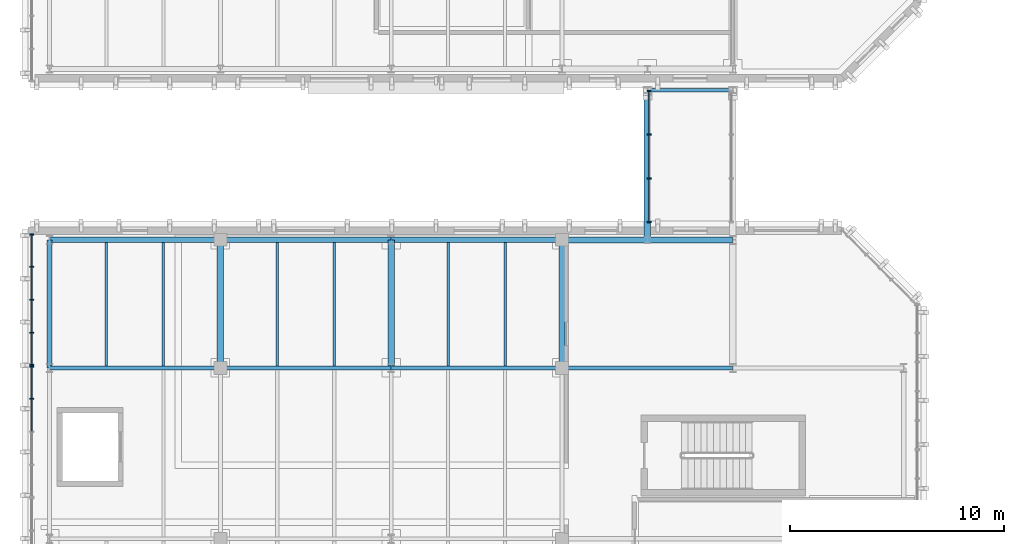
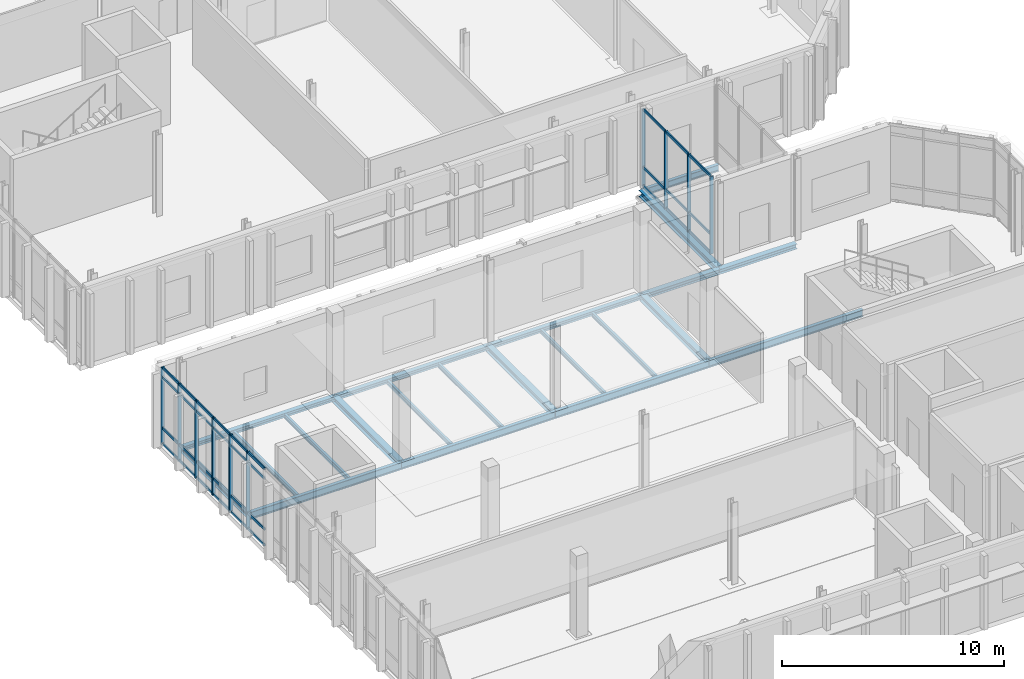
# One storey, part 31 of 86: 44 members, 21 beams, 3 elements without a shape of their own.
"""IFC4 building model written with IfcOpenShell, lengths in metres."""

from ifc_helpers import new_model, si_unit, direction, frame, origin, origin_2d, place, context, subcontext, project, spatial, rectangle, i_section, extrude, material, material_profile, profile_set, type_object, element, aggregate, save


model = new_model("IFC4")

# Units and contexts
model_context = context("Model", 3, precision=1e-05, world=origin(), true_north=direction((0.0, 1.0)))
body_context = subcontext(model_context, "Body", "Model", "MODEL_VIEW")
ifc_project = project(units=[si_unit("LENGTHUNIT", "METRE"), si_unit("AREAUNIT", "SQUARE_METRE"), si_unit("VOLUMEUNIT", "CUBIC_METRE"), si_unit("PLANEANGLEUNIT", "RADIAN"), si_unit("MASSUNIT", "GRAM", prefix="KILO")], contexts=[model_context])

# Site, building, storey
site_placement = place(None, origin())
site = spatial("IfcSite", under=ifc_project, at=site_placement, CompositionType="ELEMENT")
building_placement = place(site_placement, origin())
building = spatial("IfcBuilding", under=site, at=building_placement, Name="Cymarion Research Institute", CompositionType="ELEMENT")
storey_placement = place(building_placement, frame((0.0, 0.0, 13.800048828125)))
storey = spatial("IfcBuildingStorey", under=building, at=storey_placement, Name="L03", CompositionType="ELEMENT", Elevation=13.800048828125)

# Curtain wall, members
ifc_material_1 = material(Name="Anodised aluminium unitised curtain wall with Low-E glazing", Category="aluminium")
curtain_wall_type_1 = type_object("IfcCurtainWallType", Name="UNITISED CURTAIN WALL CW22 6180X4250", PredefinedType="NOTDEFINED", material=ifc_material_1)
curtain_wall_1_placement = place(storey_placement, origin())
curtain_wall_1 = element("IfcCurtainWall", 1, at=curtain_wall_1_placement, inside=storey, type_object=curtain_wall_type_1, Name="L03 V4 unitised curtain wall CW22 #157", PredefinedType="NOTDEFINED")
ifc_material_2 = material(Name="Anodised aluminium framing", Category="aluminium")
ifc_material_profile_1 = material_profile(ifc_material_2, rectangle(XDim=0.06005859375, YDim=0.179931640625, at=origin_2d()), Name="ALU MULLION 60x180")
ifc_profile_set_1 = profile_set([ifc_material_profile_1], Name="Anodised aluminium framing")
member_type_1 = type_object("IfcMemberType", Name="CURTAIN WALL MULLION ML01 60X180", PredefinedType="MULLION", material=ifc_profile_set_1)
member_1_placement = place(storey_placement, frame((5.77001953125, 77.748046875, 0.0), z_axis=(0.0, 0.0, 1.0), x_axis=(0.0, -1.0, 0.0)))
member_1 = element("IfcMember", 2, at=member_1_placement, type_object=member_type_1, Name="CW22 mullion 1", PredefinedType="MULLION", context=body_context, shape_type="SweptSolid", body=[
    extrude(rectangle(XDim=0.06005859375, YDim=0.179931640625, at=origin_2d()), origin(), (0.0, 0.0, 1.0), 4.25),
])
member_2_placement = place(storey_placement, frame((5.77001953125, 76.234130859375, 0.0), z_axis=(0.0, 0.0, 1.0), x_axis=(0.0, -1.0, 0.0)))
member_2 = element("IfcMember", 3, at=member_2_placement, type_object=member_type_1, Name="CW22 mullion 2", PredefinedType="MULLION", context=body_context, shape_type="SweptSolid", body=[
    extrude(rectangle(XDim=0.06005859375, YDim=0.179931640625, at=origin_2d()), origin(), (0.0, 0.0, 1.0), 4.25),
])
member_3_placement = place(storey_placement, frame((5.77001953125, 74.690185546875, 0.0), z_axis=(0.0, 0.0, 1.0), x_axis=(0.0, -1.0, 0.0)))
member_3 = element("IfcMember", 4, at=member_3_placement, type_object=member_type_1, Name="CW22 mullion 3", PredefinedType="MULLION", context=body_context, shape_type="SweptSolid", body=[
    extrude(rectangle(XDim=0.06005859375, YDim=0.179931640625, at=origin_2d()), origin(), (0.0, 0.0, 1.0), 4.25),
])
member_4_placement = place(storey_placement, frame((5.77001953125, 73.146240234375, 0.0), z_axis=(0.0, 0.0, 1.0), x_axis=(0.0, -1.0, 0.0)))
member_4 = element("IfcMember", 5, at=member_4_placement, type_object=member_type_1, Name="CW22 mullion 4", PredefinedType="MULLION", context=body_context, shape_type="SweptSolid", body=[
    extrude(rectangle(XDim=0.06005859375, YDim=0.179931640625, at=origin_2d()), origin(), (0.0, 0.0, 1.0), 4.25),
])
member_5_placement = place(storey_placement, frame((5.77001953125, 71.63232421875, 0.0), z_axis=(0.0, 0.0, 1.0), x_axis=(0.0, -1.0, 0.0)))
member_5 = element("IfcMember", 6, at=member_5_placement, type_object=member_type_1, Name="CW22 mullion 5", PredefinedType="MULLION", context=body_context, shape_type="SweptSolid", body=[
    extrude(rectangle(XDim=0.06005859375, YDim=0.179931640625, at=origin_2d()), origin(), (0.0, 0.0, 1.0), 4.25),
])

curtain_wall_2_placement = place(storey_placement, origin())
curtain_wall_2 = element("IfcCurtainWall", 7, at=curtain_wall_2_placement, inside=storey, type_object=curtain_wall_type_1, Name="L03 V4 unitised curtain wall CW22 #158", PredefinedType="NOTDEFINED")
member_6_placement = place(storey_placement, frame((5.77001953125, 71.572509765625, 0.0), z_axis=(0.0, 0.0, 1.0), x_axis=(0.0, -1.0, 0.0)))
member_6 = element("IfcMember", 8, at=member_6_placement, type_object=member_type_1, Name="CW22 mullion 1", PredefinedType="MULLION", context=body_context, shape_type="SweptSolid", body=[
    extrude(rectangle(XDim=0.06005859375, YDim=0.179931640625, at=origin_2d()), origin(), (0.0, 0.0, 1.0), 4.25),
])
member_7_placement = place(storey_placement, frame((5.77001953125, 70.05859375, 0.0), z_axis=(0.0, 0.0, 1.0), x_axis=(0.0, -1.0, 0.0)))
member_7 = element("IfcMember", 9, at=member_7_placement, type_object=member_type_1, Name="CW22 mullion 2", PredefinedType="MULLION", context=body_context, shape_type="SweptSolid", body=[
    extrude(rectangle(XDim=0.06005859375, YDim=0.179931640625, at=origin_2d()), origin(), (0.0, 0.0, 1.0), 4.25),
])

curtain_wall_type_2 = type_object("IfcCurtainWallType", Name="UNITISED CURTAIN WALL CW25 6200X4260", PredefinedType="NOTDEFINED", material=ifc_material_1)
curtain_wall_3_placement = place(storey_placement, origin())
curtain_wall_3 = element("IfcCurtainWall", 10, at=curtain_wall_3_placement, inside=storey, type_object=curtain_wall_type_2, Name="L03 SP2 sky-passage glazed wall 1", PredefinedType="NOTDEFINED")
member_8_placement = place(storey_placement, frame((34.679931640625, 78.330078125, 0.0), z_axis=(0.0, 0.0, 1.0), x_axis=(0.0, 1.0, 0.0)))
member_8 = element("IfcMember", 11, at=member_8_placement, type_object=member_type_1, Name="CW25 mullion 1", PredefinedType="MULLION", context=body_context, shape_type="SweptSolid", body=[
    extrude(rectangle(XDim=0.06005859375, YDim=0.179931640625, at=origin_2d()), origin(), (0.0, 0.0, 1.0), 4.260009765625),
])
member_9_placement = place(storey_placement, frame((34.679931640625, 80.36669921875, 0.0), z_axis=(0.0, 0.0, 1.0), x_axis=(0.0, 1.0, 0.0)))
member_9 = element("IfcMember", 12, at=member_9_placement, type_object=member_type_1, Name="CW25 mullion 2", PredefinedType="MULLION", context=body_context, shape_type="SweptSolid", body=[
    extrude(rectangle(XDim=0.06005859375, YDim=0.179931640625, at=origin_2d()), origin(), (0.0, 0.0, 1.0), 4.260009765625),
])
member_10_placement = place(storey_placement, frame((34.679931640625, 82.433349609375, 0.0), z_axis=(0.0, 0.0, 1.0), x_axis=(0.0, 1.0, 0.0)))
member_10 = element("IfcMember", 13, at=member_10_placement, type_object=member_type_1, Name="CW25 mullion 3", PredefinedType="MULLION", context=body_context, shape_type="SweptSolid", body=[
    extrude(rectangle(XDim=0.06005859375, YDim=0.179931640625, at=origin_2d()), origin(), (0.0, 0.0, 1.0), 4.260009765625),
])
member_11_placement = place(storey_placement, frame((34.679931640625, 84.469970703125, 0.0), z_axis=(0.0, 0.0, 1.0), x_axis=(0.0, 1.0, 0.0)))
member_11 = element("IfcMember", 14, at=member_11_placement, type_object=member_type_1, Name="CW25 mullion 4", PredefinedType="MULLION", context=body_context, shape_type="SweptSolid", body=[
    extrude(rectangle(XDim=0.06005859375, YDim=0.179931640625, at=origin_2d()), origin(), (0.0, 0.0, 1.0), 4.260009765625),
])

# Member
ifc_material_profile_2 = material_profile(ifc_material_2, rectangle(XDim=0.06005859375, YDim=0.14990234375, at=origin_2d()), Name="ALU TRANSOM 60x150")
ifc_profile_set_2 = profile_set([ifc_material_profile_2], Name="Anodised aluminium framing")
member_type_2 = type_object("IfcMemberType", Name="CURTAIN WALL TRANSOM TR01 60X150", PredefinedType="USERDEFINED", material=ifc_profile_set_2)
member_12_placement = place(storey_placement, frame((5.77001953125, 77.718017578125, 0.030029296875), z_axis=(0.0, -1.0, 0.0), x_axis=(1.0, 0.0, 0.0)))
member_12 = element("IfcMember", 15, at=member_12_placement, type_object=member_type_2, Name="CW22 transom 1.1", ObjectType="TRANSOM", PredefinedType="USERDEFINED", context=body_context, shape_type="SweptSolid", body=[
    extrude(rectangle(XDim=0.06005859375, YDim=0.14990234375, at=origin_2d()), origin(), (0.0, 0.0, 1.0), 1.453857421875),
])

member_13_placement = place(storey_placement, frame((5.77001953125, 77.718017578125, 0.89990234375), z_axis=(0.0, -1.0, 0.0), x_axis=(1.0, 0.0, 0.0)))
member_13 = element("IfcMember", 16, at=member_13_placement, type_object=member_type_2, Name="CW22 transom 1.2", ObjectType="TRANSOM", PredefinedType="USERDEFINED", context=body_context, shape_type="SweptSolid", body=[
    extrude(rectangle(XDim=0.06005859375, YDim=0.14990234375, at=origin_2d()), origin(), (0.0, 0.0, 1.0), 1.453857421875),
])

member_14_placement = place(storey_placement, frame((5.77001953125, 77.718017578125, 3.699951171875), z_axis=(0.0, -1.0, 0.0), x_axis=(1.0, 0.0, 0.0)))
member_14 = element("IfcMember", 17, at=member_14_placement, type_object=member_type_2, Name="CW22 transom 1.3", ObjectType="TRANSOM", PredefinedType="USERDEFINED", context=body_context, shape_type="SweptSolid", body=[
    extrude(rectangle(XDim=0.06005859375, YDim=0.14990234375, at=origin_2d()), origin(), (0.0, 0.0, 1.0), 1.453857421875),
])

member_15_placement = place(storey_placement, frame((5.77001953125, 77.718017578125, 4.219970703125), z_axis=(0.0, -1.0, 0.0), x_axis=(1.0, 0.0, 0.0)))
member_15 = element("IfcMember", 18, at=member_15_placement, type_object=member_type_2, Name="CW22 transom 1.4", ObjectType="TRANSOM", PredefinedType="USERDEFINED", context=body_context, shape_type="SweptSolid", body=[
    extrude(rectangle(XDim=0.06005859375, YDim=0.14990234375, at=origin_2d()), origin(), (0.0, 0.0, 1.0), 1.453857421875),
])

member_16_placement = place(storey_placement, frame((5.77001953125, 76.2041015625, 0.030029296875), z_axis=(0.0, -1.0, 0.0), x_axis=(1.0, 0.0, 0.0)))
member_16 = element("IfcMember", 19, at=member_16_placement, type_object=member_type_2, Name="CW22 transom 2.1", ObjectType="TRANSOM", PredefinedType="USERDEFINED", context=body_context, shape_type="SweptSolid", body=[
    extrude(rectangle(XDim=0.06005859375, YDim=0.14990234375, at=origin_2d()), origin(), (0.0, 0.0, 1.0), 1.48388671875),
])

member_17_placement = place(storey_placement, frame((5.77001953125, 76.2041015625, 0.89990234375), z_axis=(0.0, -1.0, 0.0), x_axis=(1.0, 0.0, 0.0)))
member_17 = element("IfcMember", 20, at=member_17_placement, type_object=member_type_2, Name="CW22 transom 2.2", ObjectType="TRANSOM", PredefinedType="USERDEFINED", context=body_context, shape_type="SweptSolid", body=[
    extrude(rectangle(XDim=0.06005859375, YDim=0.14990234375, at=origin_2d()), origin(), (0.0, 0.0, 1.0), 1.48388671875),
])

member_18_placement = place(storey_placement, frame((5.77001953125, 76.2041015625, 3.699951171875), z_axis=(0.0, -1.0, 0.0), x_axis=(1.0, 0.0, 0.0)))
member_18 = element("IfcMember", 21, at=member_18_placement, type_object=member_type_2, Name="CW22 transom 2.3", ObjectType="TRANSOM", PredefinedType="USERDEFINED", context=body_context, shape_type="SweptSolid", body=[
    extrude(rectangle(XDim=0.06005859375, YDim=0.14990234375, at=origin_2d()), origin(), (0.0, 0.0, 1.0), 1.48388671875),
])

member_19_placement = place(storey_placement, frame((5.77001953125, 76.2041015625, 4.219970703125), z_axis=(0.0, -1.0, 0.0), x_axis=(1.0, 0.0, 0.0)))
member_19 = element("IfcMember", 22, at=member_19_placement, type_object=member_type_2, Name="CW22 transom 2.4", ObjectType="TRANSOM", PredefinedType="USERDEFINED", context=body_context, shape_type="SweptSolid", body=[
    extrude(rectangle(XDim=0.06005859375, YDim=0.14990234375, at=origin_2d()), origin(), (0.0, 0.0, 1.0), 1.48388671875),
])

member_20_placement = place(storey_placement, frame((5.77001953125, 74.66015625, 0.030029296875), z_axis=(0.0, -1.0, 0.0), x_axis=(1.0, 0.0, 0.0)))
member_20 = element("IfcMember", 23, at=member_20_placement, type_object=member_type_2, Name="CW22 transom 3.1", ObjectType="TRANSOM", PredefinedType="USERDEFINED", context=body_context, shape_type="SweptSolid", body=[
    extrude(rectangle(XDim=0.06005859375, YDim=0.14990234375, at=origin_2d()), origin(), (0.0, 0.0, 1.0), 1.48388671875),
])

member_21_placement = place(storey_placement, frame((5.77001953125, 74.66015625, 0.89990234375), z_axis=(0.0, -1.0, 0.0), x_axis=(1.0, 0.0, 0.0)))
member_21 = element("IfcMember", 24, at=member_21_placement, type_object=member_type_2, Name="CW22 transom 3.2", ObjectType="TRANSOM", PredefinedType="USERDEFINED", context=body_context, shape_type="SweptSolid", body=[
    extrude(rectangle(XDim=0.06005859375, YDim=0.14990234375, at=origin_2d()), origin(), (0.0, 0.0, 1.0), 1.48388671875),
])

member_22_placement = place(storey_placement, frame((5.77001953125, 74.66015625, 3.699951171875), z_axis=(0.0, -1.0, 0.0), x_axis=(1.0, 0.0, 0.0)))
member_22 = element("IfcMember", 25, at=member_22_placement, type_object=member_type_2, Name="CW22 transom 3.3", ObjectType="TRANSOM", PredefinedType="USERDEFINED", context=body_context, shape_type="SweptSolid", body=[
    extrude(rectangle(XDim=0.06005859375, YDim=0.14990234375, at=origin_2d()), origin(), (0.0, 0.0, 1.0), 1.48388671875),
])

member_23_placement = place(storey_placement, frame((5.77001953125, 74.66015625, 4.219970703125), z_axis=(0.0, -1.0, 0.0), x_axis=(1.0, 0.0, 0.0)))
member_23 = element("IfcMember", 26, at=member_23_placement, type_object=member_type_2, Name="CW22 transom 3.4", ObjectType="TRANSOM", PredefinedType="USERDEFINED", context=body_context, shape_type="SweptSolid", body=[
    extrude(rectangle(XDim=0.06005859375, YDim=0.14990234375, at=origin_2d()), origin(), (0.0, 0.0, 1.0), 1.48388671875),
])

member_24_placement = place(storey_placement, frame((5.77001953125, 73.1162109375, 0.030029296875), z_axis=(0.0, -1.0, 0.0), x_axis=(1.0, 0.0, 0.0)))
member_24 = element("IfcMember", 27, at=member_24_placement, type_object=member_type_2, Name="CW22 transom 4.1", ObjectType="TRANSOM", PredefinedType="USERDEFINED", context=body_context, shape_type="SweptSolid", body=[
    extrude(rectangle(XDim=0.06005859375, YDim=0.14990234375, at=origin_2d()), origin(), (0.0, 0.0, 1.0), 1.453857421875),
])

member_25_placement = place(storey_placement, frame((5.77001953125, 73.1162109375, 0.89990234375), z_axis=(0.0, -1.0, 0.0), x_axis=(1.0, 0.0, 0.0)))
member_25 = element("IfcMember", 28, at=member_25_placement, type_object=member_type_2, Name="CW22 transom 4.2", ObjectType="TRANSOM", PredefinedType="USERDEFINED", context=body_context, shape_type="SweptSolid", body=[
    extrude(rectangle(XDim=0.06005859375, YDim=0.14990234375, at=origin_2d()), origin(), (0.0, 0.0, 1.0), 1.453857421875),
])

member_26_placement = place(storey_placement, frame((5.77001953125, 73.1162109375, 3.699951171875), z_axis=(0.0, -1.0, 0.0), x_axis=(1.0, 0.0, 0.0)))
member_26 = element("IfcMember", 29, at=member_26_placement, type_object=member_type_2, Name="CW22 transom 4.3", ObjectType="TRANSOM", PredefinedType="USERDEFINED", context=body_context, shape_type="SweptSolid", body=[
    extrude(rectangle(XDim=0.06005859375, YDim=0.14990234375, at=origin_2d()), origin(), (0.0, 0.0, 1.0), 1.453857421875),
])

member_27_placement = place(storey_placement, frame((5.77001953125, 73.1162109375, 4.219970703125), z_axis=(0.0, -1.0, 0.0), x_axis=(1.0, 0.0, 0.0)))
member_27 = element("IfcMember", 30, at=member_27_placement, type_object=member_type_2, Name="CW22 transom 4.4", ObjectType="TRANSOM", PredefinedType="USERDEFINED", context=body_context, shape_type="SweptSolid", body=[
    extrude(rectangle(XDim=0.06005859375, YDim=0.14990234375, at=origin_2d()), origin(), (0.0, 0.0, 1.0), 1.453857421875),
])

aggregate(curtain_wall_1, [member_1, member_2, member_3, member_4, member_5, member_12, member_13, member_14, member_15, member_16, member_17, member_18, member_19, member_20, member_21, member_22, member_23, member_24, member_25, member_26, member_27])

member_28_placement = place(storey_placement, frame((5.77001953125, 71.54248046875, 0.030029296875), z_axis=(0.0, -1.0, 0.0), x_axis=(1.0, 0.0, 0.0)))
member_28 = element("IfcMember", 31, at=member_28_placement, type_object=member_type_2, Name="CW22 transom 1.1", ObjectType="TRANSOM", PredefinedType="USERDEFINED", context=body_context, shape_type="SweptSolid", body=[
    extrude(rectangle(XDim=0.06005859375, YDim=0.14990234375, at=origin_2d()), origin(), (0.0, 0.0, 1.0), 1.4541015625),
])

member_29_placement = place(storey_placement, frame((5.77001953125, 71.54248046875, 0.89990234375), z_axis=(0.0, -1.0, 0.0), x_axis=(1.0, 0.0, 0.0)))
member_29 = element("IfcMember", 32, at=member_29_placement, type_object=member_type_2, Name="CW22 transom 1.2", ObjectType="TRANSOM", PredefinedType="USERDEFINED", context=body_context, shape_type="SweptSolid", body=[
    extrude(rectangle(XDim=0.06005859375, YDim=0.14990234375, at=origin_2d()), origin(), (0.0, 0.0, 1.0), 1.4541015625),
])

member_30_placement = place(storey_placement, frame((5.77001953125, 71.54248046875, 3.699951171875), z_axis=(0.0, -1.0, 0.0), x_axis=(1.0, 0.0, 0.0)))
member_30 = element("IfcMember", 33, at=member_30_placement, type_object=member_type_2, Name="CW22 transom 1.3", ObjectType="TRANSOM", PredefinedType="USERDEFINED", context=body_context, shape_type="SweptSolid", body=[
    extrude(rectangle(XDim=0.06005859375, YDim=0.14990234375, at=origin_2d()), origin(), (0.0, 0.0, 1.0), 1.4541015625),
])

member_31_placement = place(storey_placement, frame((5.77001953125, 71.54248046875, 4.219970703125), z_axis=(0.0, -1.0, 0.0), x_axis=(1.0, 0.0, 0.0)))
member_31 = element("IfcMember", 34, at=member_31_placement, type_object=member_type_2, Name="CW22 transom 1.4", ObjectType="TRANSOM", PredefinedType="USERDEFINED", context=body_context, shape_type="SweptSolid", body=[
    extrude(rectangle(XDim=0.06005859375, YDim=0.14990234375, at=origin_2d()), origin(), (0.0, 0.0, 1.0), 1.4541015625),
])

member_32_placement = place(storey_placement, frame((5.77001953125, 70.028564453125, 0.030029296875), z_axis=(0.0, -1.0, 0.0), x_axis=(1.0, 0.0, 0.0)))
member_32 = element("IfcMember", 35, at=member_32_placement, type_object=member_type_2, Name="CW22 transom 2.1", ObjectType="TRANSOM", PredefinedType="USERDEFINED", context=body_context, shape_type="SweptSolid", body=[
    extrude(rectangle(XDim=0.06005859375, YDim=0.14990234375, at=origin_2d()), origin(), (0.0, 0.0, 1.0), 1.48388671875),
])

member_33_placement = place(storey_placement, frame((5.77001953125, 70.028564453125, 0.89990234375), z_axis=(0.0, -1.0, 0.0), x_axis=(1.0, 0.0, 0.0)))
member_33 = element("IfcMember", 36, at=member_33_placement, type_object=member_type_2, Name="CW22 transom 2.2", ObjectType="TRANSOM", PredefinedType="USERDEFINED", context=body_context, shape_type="SweptSolid", body=[
    extrude(rectangle(XDim=0.06005859375, YDim=0.14990234375, at=origin_2d()), origin(), (0.0, 0.0, 1.0), 1.48388671875),
])

member_34_placement = place(storey_placement, frame((5.77001953125, 70.028564453125, 3.699951171875), z_axis=(0.0, -1.0, 0.0), x_axis=(1.0, 0.0, 0.0)))
member_34 = element("IfcMember", 37, at=member_34_placement, type_object=member_type_2, Name="CW22 transom 2.3", ObjectType="TRANSOM", PredefinedType="USERDEFINED", context=body_context, shape_type="SweptSolid", body=[
    extrude(rectangle(XDim=0.06005859375, YDim=0.14990234375, at=origin_2d()), origin(), (0.0, 0.0, 1.0), 1.48388671875),
])

member_35_placement = place(storey_placement, frame((5.77001953125, 70.028564453125, 4.219970703125), z_axis=(0.0, -1.0, 0.0), x_axis=(1.0, 0.0, 0.0)))
member_35 = element("IfcMember", 38, at=member_35_placement, type_object=member_type_2, Name="CW22 transom 2.4", ObjectType="TRANSOM", PredefinedType="USERDEFINED", context=body_context, shape_type="SweptSolid", body=[
    extrude(rectangle(XDim=0.06005859375, YDim=0.14990234375, at=origin_2d()), origin(), (0.0, 0.0, 1.0), 1.48388671875),
])

aggregate(curtain_wall_2, [member_6, member_7, member_28, member_29, member_30, member_31, member_32, member_33, member_34, member_35])

member_36_placement = place(storey_placement, frame((34.679931640625, 78.360107421875, 0.030029296875), z_axis=(0.0, 1.0, 0.0), x_axis=(-1.0, 0.0, 0.0)))
member_36 = element("IfcMember", 39, at=member_36_placement, type_object=member_type_2, Name="CW25 transom 1.1", ObjectType="TRANSOM", PredefinedType="USERDEFINED", context=body_context, shape_type="SweptSolid", body=[
    extrude(rectangle(XDim=0.06005859375, YDim=0.14990234375, at=origin_2d()), origin(), (0.0, 0.0, 1.0), 1.9765625),
])

member_37_placement = place(storey_placement, frame((34.679931640625, 78.360107421875, 1.050048828125), z_axis=(0.0, 1.0, 0.0), x_axis=(-1.0, 0.0, 0.0)))
member_37 = element("IfcMember", 40, at=member_37_placement, type_object=member_type_2, Name="CW25 transom 1.2", ObjectType="TRANSOM", PredefinedType="USERDEFINED", context=body_context, shape_type="SweptSolid", body=[
    extrude(rectangle(XDim=0.06005859375, YDim=0.14990234375, at=origin_2d()), origin(), (0.0, 0.0, 1.0), 1.9765625),
])

member_38_placement = place(storey_placement, frame((34.679931640625, 78.360107421875, 4.22998046875), z_axis=(0.0, 1.0, 0.0), x_axis=(-1.0, 0.0, 0.0)))
member_38 = element("IfcMember", 41, at=member_38_placement, type_object=member_type_2, Name="CW25 transom 1.3", ObjectType="TRANSOM", PredefinedType="USERDEFINED", context=body_context, shape_type="SweptSolid", body=[
    extrude(rectangle(XDim=0.06005859375, YDim=0.14990234375, at=origin_2d()), origin(), (0.0, 0.0, 1.0), 1.9765625),
])

member_39_placement = place(storey_placement, frame((34.679931640625, 80.396728515625, 0.030029296875), z_axis=(0.0, 1.0, 0.0), x_axis=(-1.0, 0.0, 0.0)))
member_39 = element("IfcMember", 42, at=member_39_placement, type_object=member_type_2, Name="CW25 transom 2.1", ObjectType="TRANSOM", PredefinedType="USERDEFINED", context=body_context, shape_type="SweptSolid", body=[
    extrude(rectangle(XDim=0.06005859375, YDim=0.14990234375, at=origin_2d()), origin(), (0.0, 0.0, 1.0), 2.006591796875),
])

member_40_placement = place(storey_placement, frame((34.679931640625, 80.396728515625, 1.050048828125), z_axis=(0.0, 1.0, 0.0), x_axis=(-1.0, 0.0, 0.0)))
member_40 = element("IfcMember", 43, at=member_40_placement, type_object=member_type_2, Name="CW25 transom 2.2", ObjectType="TRANSOM", PredefinedType="USERDEFINED", context=body_context, shape_type="SweptSolid", body=[
    extrude(rectangle(XDim=0.06005859375, YDim=0.14990234375, at=origin_2d()), origin(), (0.0, 0.0, 1.0), 2.006591796875),
])

member_41_placement = place(storey_placement, frame((34.679931640625, 80.396728515625, 4.22998046875), z_axis=(0.0, 1.0, 0.0), x_axis=(-1.0, 0.0, 0.0)))
member_41 = element("IfcMember", 44, at=member_41_placement, type_object=member_type_2, Name="CW25 transom 2.3", ObjectType="TRANSOM", PredefinedType="USERDEFINED", context=body_context, shape_type="SweptSolid", body=[
    extrude(rectangle(XDim=0.06005859375, YDim=0.14990234375, at=origin_2d()), origin(), (0.0, 0.0, 1.0), 2.006591796875),
])

member_42_placement = place(storey_placement, frame((34.679931640625, 82.46337890625, 0.030029296875), z_axis=(0.0, 1.0, 0.0), x_axis=(-1.0, 0.0, 0.0)))
member_42 = element("IfcMember", 45, at=member_42_placement, type_object=member_type_2, Name="CW25 transom 3.1", ObjectType="TRANSOM", PredefinedType="USERDEFINED", context=body_context, shape_type="SweptSolid", body=[
    extrude(rectangle(XDim=0.06005859375, YDim=0.14990234375, at=origin_2d()), origin(), (0.0, 0.0, 1.0), 1.9765625),
])

member_43_placement = place(storey_placement, frame((34.679931640625, 82.46337890625, 1.050048828125), z_axis=(0.0, 1.0, 0.0), x_axis=(-1.0, 0.0, 0.0)))
member_43 = element("IfcMember", 46, at=member_43_placement, type_object=member_type_2, Name="CW25 transom 3.2", ObjectType="TRANSOM", PredefinedType="USERDEFINED", context=body_context, shape_type="SweptSolid", body=[
    extrude(rectangle(XDim=0.06005859375, YDim=0.14990234375, at=origin_2d()), origin(), (0.0, 0.0, 1.0), 1.9765625),
])

member_44_placement = place(storey_placement, frame((34.679931640625, 82.46337890625, 4.22998046875), z_axis=(0.0, 1.0, 0.0), x_axis=(-1.0, 0.0, 0.0)))
member_44 = element("IfcMember", 47, at=member_44_placement, type_object=member_type_2, Name="CW25 transom 3.3", ObjectType="TRANSOM", PredefinedType="USERDEFINED", context=body_context, shape_type="SweptSolid", body=[
    extrude(rectangle(XDim=0.06005859375, YDim=0.14990234375, at=origin_2d()), origin(), (0.0, 0.0, 1.0), 1.9765625),
])

aggregate(curtain_wall_3, [member_8, member_9, member_10, member_11, member_36, member_37, member_38, member_39, member_40, member_41, member_42, member_43, member_44])

# Beams
ifc_material_3 = material(Name="Steel S355", Category="steel")
ifc_material_profile_3 = material_profile(ifc_material_3, i_section(OverallWidth=0.179931640625, OverallDepth=0.39990234375, WebThickness=0.008544921875, FlangeThickness=0.013427734375, FilletRadius=0.02099609375, at=origin_2d()), Name="IPE 400")
ifc_profile_set_3 = profile_set([ifc_material_profile_3], Name="Steel S355")
beam_type_1 = type_object("IfcBeamType", Name="PRIMARY GIRDER BM05 IPE 400", PredefinedType="BEAM", material=ifc_profile_set_3)
for number, where, z_axis, x_axis, name in (
    (48, (6.60595703125, 71.5, -0.449951171875), (1.0, 0.0, 0.0), (0.0, 1.0, 0.0), "L03 V4 girder BM05 #1467"),
    (49, (14.60595703125, 71.5, -0.449951171875), (1.0, 0.0, 0.0), (0.0, 1.0, 0.0), "L03 V4 girder BM05 #1468"),
    (50, (22.60595703125, 71.5, -0.449951171875), (1.0, 0.0, 0.0), (0.0, 1.0, 0.0), "L03 V4 girder BM05 #1469"),
    (51, (30.60595703125, 71.5, -0.449951171875), (1.0, 0.0, 0.0), (0.0, 1.0, 0.0), "L03 V4 girder BM05 #1470"),
):
    element("IfcBeam", number, at=place(storey_placement, frame(where, z_axis=z_axis, x_axis=x_axis)), inside=storey, type_object=beam_type_1, Name=name, PredefinedType="BEAM", context=body_context, shape_type="SweptSolid", body=[
        extrude(i_section(OverallWidth=0.179931640625, OverallDepth=0.39990234375, WebThickness=0.008544921875, FlangeThickness=0.013427734375, FilletRadius=0.02099609375, at=origin_2d()), origin(), (0.0, 0.0, 1.0), 7.988037109375),
    ])
ifc_material_profile_4 = material_profile(ifc_material_3, i_section(OverallWidth=0.169921875, OverallDepth=0.360107421875, WebThickness=0.008056640625, FlangeThickness=0.0126953125, FilletRadius=0.01806640625, at=origin_2d()), Name="IPE 360")
ifc_profile_set_4 = profile_set([ifc_material_profile_4], Name="Steel S355")
beam_type_2 = type_object("IfcBeamType", Name="PRIMARY GIRDER BM06 IPE 360", PredefinedType="BEAM", material=ifc_profile_set_4)
beam_1_placement = place(storey_placement, frame((34.60595703125, 84.5, -0.340087890625), z_axis=(1.0, 0.0, 0.0), x_axis=(0.0, 1.0, 0.0)))
element("IfcBeam", 52, at=beam_1_placement, inside=storey, type_object=beam_type_2, Name="L03 V4 girder BM06 #1477", PredefinedType="BEAM", context=body_context, shape_type="SweptSolid", body=[
    extrude(i_section(OverallWidth=0.169921875, OverallDepth=0.360107421875, WebThickness=0.008056640625, FlangeThickness=0.0126953125, FilletRadius=0.01806640625, at=origin_2d()), origin(), (0.0, 0.0, 1.0), 3.988037109375),
])
ifc_material_profile_5 = material_profile(ifc_material_3, i_section(OverallWidth=0.300048828125, OverallDepth=0.35009765625, WebThickness=0.010009765625, FlangeThickness=0.017578125, FilletRadius=0.027099609375, at=origin_2d()), Name="HEA 360")
ifc_profile_set_5 = profile_set([ifc_material_profile_5], Name="Steel S355")
beam_type_3 = type_object("IfcBeamType", Name="PRIMARY GIRDER BM12 HEA 360", PredefinedType="BEAM", material=ifc_profile_set_5)
for number, where, z_axis, x_axis, name in (
    (53, (14.60009765625, 71.506103515625, -0.425048828125), (0.0, 1.0, 0.0), (-1.0, 0.0, 0.0), "L03 V4 girder BM12 #1485"),
    (54, (22.60009765625, 71.506103515625, -0.425048828125), (0.0, 1.0, 0.0), (-1.0, 0.0, 0.0), "L03 V4 girder BM12 #1489"),
    (55, (30.60009765625, 71.506103515625, -0.425048828125), (0.0, 1.0, 0.0), (-1.0, 0.0, 0.0), "L03 V4 girder BM12 #1493"),
):
    element("IfcBeam", number, at=place(storey_placement, frame(where, z_axis=z_axis, x_axis=x_axis)), inside=storey, type_object=beam_type_3, Name=name, PredefinedType="BEAM", context=body_context, shape_type="SweptSolid", body=[
        extrude(i_section(OverallWidth=0.300048828125, OverallDepth=0.35009765625, WebThickness=0.010009765625, FlangeThickness=0.017578125, FilletRadius=0.027099609375, at=origin_2d()), origin(), (0.0, 0.0, 1.0), 5.98779296875),
    ])
beam_2_placement = place(storey_placement, frame((34.60009765625, 77.506103515625, -0.3349609375), z_axis=(0.0, 1.0, 0.0), x_axis=(-1.0, 0.0, 0.0)))
element("IfcBeam", 56, at=beam_2_placement, inside=storey, type_object=beam_type_3, Name="L03 V4 girder BM12 #1494", PredefinedType="BEAM", context=body_context, shape_type="SweptSolid", body=[
    extrude(i_section(OverallWidth=0.300048828125, OverallDepth=0.35009765625, WebThickness=0.010009765625, FlangeThickness=0.017578125, FilletRadius=0.027099609375, at=origin_2d()), origin(), (0.0, 0.0, 1.0), 6.98779296875),
])
ifc_material_profile_6 = material_profile(ifc_material_3, i_section(OverallWidth=0.1201171875, OverallDepth=0.239990234375, WebThickness=0.006103515625, FlangeThickness=0.009765625, FilletRadius=0.014892578125, at=origin_2d()), Name="IPE 240")
ifc_profile_set_6 = profile_set([ifc_material_profile_6], Name="Steel S355")
beam_type_4 = type_object("IfcBeamType", Name="SECONDARY JOIST JS04 IPE 240", PredefinedType="JOIST", material=ifc_profile_set_6)
for number, where, z_axis, x_axis, name in (
    (57, (9.2666015625, 71.593994140625, -0.3701171875), (0.0, 1.0, 0.0), (-1.0, 0.0, 0.0), "L03 V4 secondary joist JS04 #1517"),
    (58, (11.933349609375, 71.593994140625, -0.3701171875), (0.0, 1.0, 0.0), (-1.0, 0.0, 0.0), "L03 V4 secondary joist JS04 #1518"),
    (59, (17.2666015625, 71.593994140625, -0.3701171875), (0.0, 1.0, 0.0), (-1.0, 0.0, 0.0), "L03 V4 secondary joist JS04 #1519"),
    (60, (19.933349609375, 71.593994140625, -0.3701171875), (0.0, 1.0, 0.0), (-1.0, 0.0, 0.0), "L03 V4 secondary joist JS04 #1520"),
    (61, (25.2666015625, 71.593994140625, -0.3701171875), (0.0, 1.0, 0.0), (-1.0, 0.0, 0.0), "L03 V4 secondary joist JS04 #1521"),
    (62, (27.933349609375, 71.593994140625, -0.3701171875), (0.0, 1.0, 0.0), (-1.0, 0.0, 0.0), "L03 V4 secondary joist JS04 #1522"),
):
    element("IfcBeam", number, at=place(storey_placement, frame(where, z_axis=z_axis, x_axis=x_axis)), inside=storey, type_object=beam_type_4, Name=name, PredefinedType="JOIST", context=body_context, shape_type="SweptSolid", body=[
        extrude(i_section(OverallWidth=0.1201171875, OverallDepth=0.239990234375, WebThickness=0.006103515625, FlangeThickness=0.009765625, FilletRadius=0.014892578125, at=origin_2d()), origin(), (0.0, 0.0, 1.0), 5.781982421875),
    ])
ifc_material_profile_7 = material_profile(ifc_material_3, i_section(OverallWidth=0.280029296875, OverallDepth=0.27001953125, WebThickness=0.008056640625, FlangeThickness=0.012939453125, FilletRadius=0.02392578125, at=origin_2d()), Name="HEA 280")
ifc_profile_set_7 = profile_set([ifc_material_profile_7], Name="Steel S355")
beam_type_5 = type_object("IfcBeamType", Name="SPANDREL BEAM SPB02 HEA 280", PredefinedType="SPANDREL", material=ifc_profile_set_7)
for number, where, z_axis, x_axis, name in (
    (63, (30.60595703125, 77.5, -0.385009765625), (1.0, 0.0, 0.0), (0.0, 1.0, 0.0), "L03 V4 girder SPB02 #1475"),
    (64, (34.60595703125, 77.5, -0.385009765625), (1.0, 0.0, 0.0), (0.0, 1.0, 0.0), "L03 V4 girder SPB02 #1476"),
):
    element("IfcBeam", number, at=place(storey_placement, frame(where, z_axis=z_axis, x_axis=x_axis)), inside=storey, type_object=beam_type_5, Name=name, PredefinedType="SPANDREL", context=body_context, shape_type="SweptSolid", body=[
        extrude(i_section(OverallWidth=0.280029296875, OverallDepth=0.27001953125, WebThickness=0.008056640625, FlangeThickness=0.012939453125, FilletRadius=0.02392578125, at=origin_2d()), origin(), (0.0, 0.0, 1.0), 3.988037109375),
    ])
ifc_material_profile_8 = material_profile(ifc_material_3, i_section(OverallWidth=0.239990234375, OverallDepth=0.22998046875, WebThickness=0.007568359375, FlangeThickness=0.011962890625, FilletRadius=0.02099609375, at=origin_2d()), Name="HEA 240")
ifc_profile_set_8 = profile_set([ifc_material_profile_8], Name="Steel S355")
beam_type_6 = type_object("IfcBeamType", Name="SPANDREL BEAM SPB03 HEA 240", PredefinedType="SPANDREL", material=ifc_profile_set_8)
for number, where, z_axis, x_axis, name in (
    (65, (6.60595703125, 77.5, -0.364990234375), (1.0, 0.0, 0.0), (0.0, 1.0, 0.0), "L03 V4 girder SPB03 #1472"),
    (66, (14.60595703125, 77.5, -0.364990234375), (1.0, 0.0, 0.0), (0.0, 1.0, 0.0), "L03 V4 girder SPB03 #1473"),
    (67, (22.60595703125, 77.5, -0.364990234375), (1.0, 0.0, 0.0), (0.0, 1.0, 0.0), "L03 V4 girder SPB03 #1474"),
):
    element("IfcBeam", number, at=place(storey_placement, frame(where, z_axis=z_axis, x_axis=x_axis)), inside=storey, type_object=beam_type_6, Name=name, PredefinedType="SPANDREL", context=body_context, shape_type="SweptSolid", body=[
        extrude(i_section(OverallWidth=0.239990234375, OverallDepth=0.22998046875, WebThickness=0.007568359375, FlangeThickness=0.011962890625, FilletRadius=0.02099609375, at=origin_2d()), origin(), (0.0, 0.0, 1.0), 7.988037109375),
    ])
beam_3_placement = place(storey_placement, frame((6.60009765625, 71.506103515625, -0.364990234375), z_axis=(0.0, 1.0, 0.0), x_axis=(-1.0, 0.0, 0.0)))
element("IfcBeam", 68, at=beam_3_placement, inside=storey, type_object=beam_type_6, Name="L03 V4 girder SPB03 #1481", PredefinedType="SPANDREL", context=body_context, shape_type="SweptSolid", body=[
    extrude(i_section(OverallWidth=0.239990234375, OverallDepth=0.22998046875, WebThickness=0.007568359375, FlangeThickness=0.011962890625, FilletRadius=0.02099609375, at=origin_2d()), origin(), (0.0, 0.0, 1.0), 5.98779296875),
])

save(model, "model.ifc")
